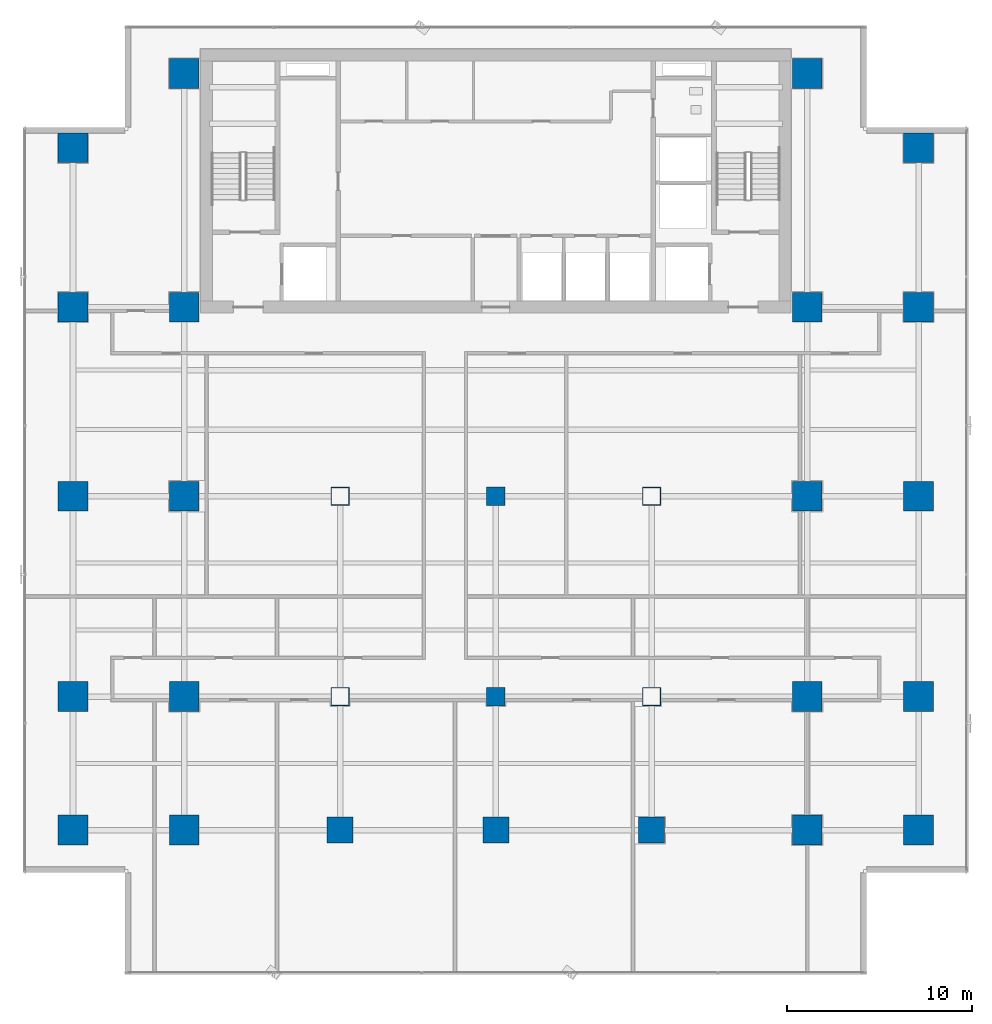
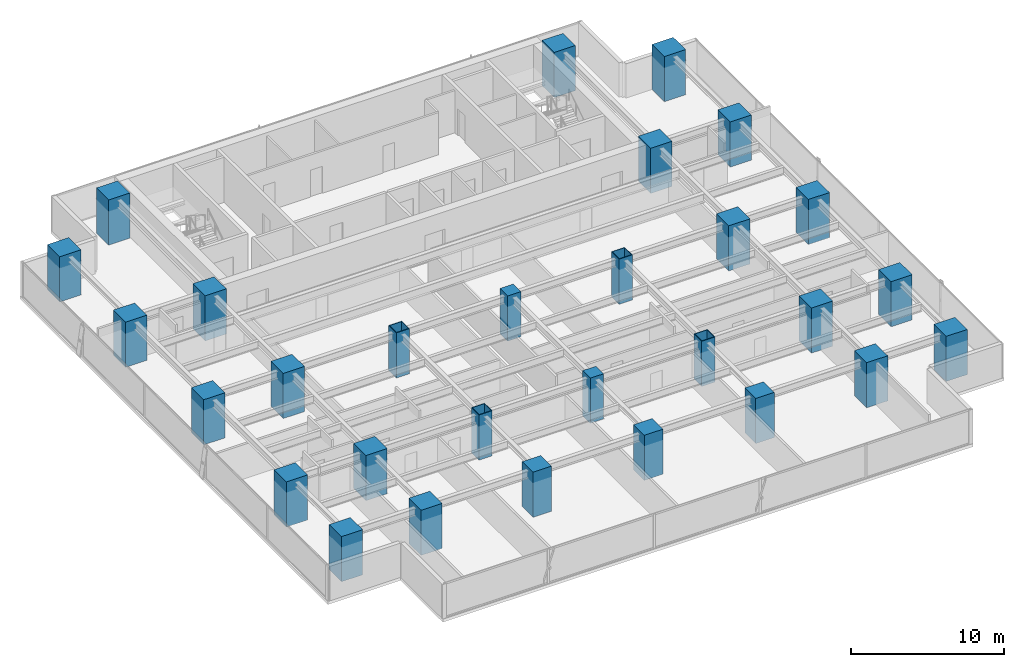
# One storey, part 1 of 34: 29 columns.
"""IFC4 building model written with IfcOpenShell, lengths in metres."""

from ifc_helpers import new_model, si_unit, direction, frame, origin, origin_2d, place, context, subcontext, project, spatial, rectangle, hollow_rectangle, extrude, source, transform, mapped, material, material_profile, profile_set, type_object, element, save


model = new_model("IFC4")

# Units and contexts
model_context = context("Model", 3, precision=1e-05, world=origin(), true_north=direction((0.0, 1.0)))
body_context = subcontext(model_context, "Body", "Model", "MODEL_VIEW")
ifc_project = project(units=[si_unit("LENGTHUNIT", "METRE"), si_unit("AREAUNIT", "SQUARE_METRE"), si_unit("VOLUMEUNIT", "CUBIC_METRE"), si_unit("PLANEANGLEUNIT", "RADIAN"), si_unit("MASSUNIT", "GRAM", prefix="KILO")], contexts=[model_context])

# Site, building, storey
site_placement = place(None, origin())
site = spatial("IfcSite", under=ifc_project, at=site_placement, CompositionType="ELEMENT")
building_placement = place(site_placement, origin())
building = spatial("IfcBuilding", under=site, at=building_placement, Name="Sumidabori Civic Tower", CompositionType="ELEMENT")
storey_placement = place(building_placement, frame((0.0, 0.0, 106.39990234375)))
storey = spatial("IfcBuildingStorey", under=building, at=storey_placement, Name="L27", CompositionType="ELEMENT", Elevation=106.39990234375)

# Columns
ifc_material_1 = material(Name="Concrete C60/75", Category="concrete")
ifc_material_profile_1 = material_profile(ifc_material_1, rectangle(XDim=1.60009765625, YDim=1.60009765625, at=origin_2d()), Name="RC 1600x1600")
ifc_profile_set_1 = profile_set([ifc_material_profile_1], Name="Concrete C60/75")
column_type_1 = type_object("IfcColumnType", Name="CL-MEGA-1600", PredefinedType="COLUMN", material=ifc_profile_set_1)
shared_shape_1 = source(origin(), body_context, "Body", "SweptSolid", [
    extrude(rectangle(XDim=1.60009765625, YDim=1.60009765625, at=origin_2d()), origin(), (0.0, 0.0, 1.0), 3.60009765625),
])
for number, where, z_axis, x_axis, name in (
    (1, (-16.800048828125, -18.0, 0.0), (0.0, 0.0, 1.0), (1.0, 0.0, 0.0), "Column MC-W16-Y18S L27"),
    (2, (-16.800048828125, -10.800048828125, 0.0), (0.0, 0.0, 1.0), (1.0, 0.0, 0.0), "Column MC-W16-Y11S L27"),
    (3, (-16.800048828125, 0.0, 0.0), (0.0, 0.0, 1.0), (1.0, 0.0, 0.0), "Column MC-W16-Y00 L27"),
    (4, (-16.800048828125, 10.199951171875, 0.0), (0.0, 0.0, 1.0), (1.0, 0.0, 0.0), "Column MC-W16-Y10N L27"),
    (5, (-16.800048828125, 22.800048828125, 0.0), (0.0, 0.0, 1.0), (1.0, 0.0, 0.0), "Column MC-W16-Y23N L27"),
    (6, (16.800048828125, -18.0, 0.0), (0.0, 0.0, 1.0), (1.0, 0.0, 0.0), "Column MC-E16-Y18S L27"),
    (7, (16.800048828125, -10.800048828125, 0.0), (0.0, 0.0, 1.0), (1.0, 0.0, 0.0), "Column MC-E16-Y11S L27"),
    (8, (16.800048828125, 0.0, 0.0), (0.0, 0.0, 1.0), (1.0, 0.0, 0.0), "Column MC-E16-Y00 L27"),
    (9, (16.800048828125, 10.199951171875, 0.0), (0.0, 0.0, 1.0), (1.0, 0.0, 0.0), "Column MC-E16-Y10N L27"),
    (10, (16.800048828125, 22.800048828125, 0.0), (0.0, 0.0, 1.0), (1.0, 0.0, 0.0), "Column MC-E16-Y23N L27"),
    (11, (-22.800048828125, -18.0, 0.0), (0.0, 0.0, 1.0), (1.0, 0.0, 0.0), "Column MC-W23-Y18S L27"),
    (12, (-22.800048828125, -10.800048828125, 0.0), (0.0, 0.0, 1.0), (1.0, 0.0, 0.0), "Column MC-W23-Y11S L27"),
    (13, (-22.800048828125, 0.0, 0.0), (0.0, 0.0, 1.0), (1.0, 0.0, 0.0), "Column MC-W23-Y00 L27"),
    (14, (-22.800048828125, 10.199951171875, 0.0), (0.0, 0.0, 1.0), (1.0, 0.0, 0.0), "Column MC-W23-Y10N L27"),
    (15, (-22.800048828125, 18.800048828125, 0.0), (0.0, 0.0, 1.0), (1.0, 0.0, 0.0), "Column MC-W23-Y19N L27"),
    (16, (22.800048828125, -18.0, 0.0), (0.0, 0.0, 1.0), (1.0, 0.0, 0.0), "Column MC-E23-Y18S L27"),
    (17, (22.800048828125, -10.800048828125, 0.0), (0.0, 0.0, 1.0), (1.0, 0.0, 0.0), "Column MC-E23-Y11S L27"),
    (18, (22.800048828125, 0.0, 0.0), (0.0, 0.0, 1.0), (1.0, 0.0, 0.0), "Column MC-E23-Y00 L27"),
    (19, (22.800048828125, 10.199951171875, 0.0), (0.0, 0.0, 1.0), (1.0, 0.0, 0.0), "Column MC-E23-Y10N L27"),
    (20, (22.800048828125, 18.800048828125, 0.0), (0.0, 0.0, 1.0), (1.0, 0.0, 0.0), "Column MC-E23-Y19N L27"),
):
    element("IfcColumn", number, at=place(storey_placement, frame(where, z_axis=z_axis, x_axis=x_axis)), inside=storey, type_object=column_type_1, Name=name, PredefinedType="COLUMN", context=body_context, shape_type="MappedRepresentation", body=[
        mapped(shared_shape_1, transform((0.0, 0.0, 0.0), x_axis=(1.0, 0.0, 0.0), y_axis=(0.0, 1.0, 0.0), z_axis=(0.0, 0.0, 1.0), scale=1.0)),
    ])
ifc_material_2 = material(Name="Steel SM570", Category="steel")
ifc_material_profile_2 = material_profile(ifc_material_2, hollow_rectangle(XDim=1.0, YDim=1.0, WallThickness=0.044921875, at=origin_2d()), Name="SHS 1000x1000x45")
ifc_profile_set_2 = profile_set([ifc_material_profile_2], Name="Steel SM570")
column_type_2 = type_object("IfcColumnType", Name="CL-PORTAL-SHS1000", PredefinedType="COLUMN", material=ifc_profile_set_2)
shared_shape_2 = source(origin(), body_context, "Body", "SweptSolid", [
    extrude(hollow_rectangle(XDim=1.0, YDim=1.0, WallThickness=0.044921875, at=origin_2d()), origin(), (0.0, 0.0, 1.0), 3.60009765625),
])
for number, where, z_axis, x_axis, name in (
    (21, (-8.39990234375, 0.0, 0.0), (0.0, 0.0, 1.0), (1.0, 0.0, 0.0), "Column MC-W08-Y00 L27"),
    (22, (-8.39990234375, -10.800048828125, 0.0), (0.0, 0.0, 1.0), (1.0, 0.0, 0.0), "Column MC-W08-Y11S L27"),
    (23, (8.39990234375, 0.0, 0.0), (0.0, 0.0, 1.0), (1.0, 0.0, 0.0), "Column MC-E08-Y00 L27"),
    (24, (8.39990234375, -10.800048828125, 0.0), (0.0, 0.0, 1.0), (1.0, 0.0, 0.0), "Column MC-E08-Y11S L27"),
):
    element("IfcColumn", number, at=place(storey_placement, frame(where, z_axis=z_axis, x_axis=x_axis)), inside=storey, type_object=column_type_2, Name=name, PredefinedType="COLUMN", context=body_context, shape_type="MappedRepresentation", body=[
        mapped(shared_shape_2, transform((0.0, 0.0, 0.0), x_axis=(1.0, 0.0, 0.0), y_axis=(0.0, 1.0, 0.0), z_axis=(0.0, 0.0, 1.0), scale=1.0)),
    ])
ifc_material_profile_3 = material_profile(ifc_material_1, rectangle(XDim=1.39990234375, YDim=1.39990234375, at=origin_2d()), Name="RC 1400x1400")
ifc_profile_set_3 = profile_set([ifc_material_profile_3], Name="Concrete C60/75")
column_type_3 = type_object("IfcColumnType", Name="CL-MEGA-1400", PredefinedType="COLUMN", material=ifc_profile_set_3)
shared_shape_3 = source(origin(), body_context, "Body", "SweptSolid", [
    extrude(rectangle(XDim=1.39990234375, YDim=1.39990234375, at=origin_2d()), origin(), (0.0, 0.0, 1.0), 3.60009765625),
])
for number, where, z_axis, x_axis, name in (
    (25, (-8.39990234375, -18.0, 0.0), (0.0, 0.0, 1.0), (1.0, 0.0, 0.0), "Column MC-W08-Y18S L27"),
    (26, (8.39990234375, -18.0, 0.0), (0.0, 0.0, 1.0), (1.0, 0.0, 0.0), "Column MC-E08-Y18S L27"),
    (27, (0.0, -18.0, 0.0), (0.0, 0.0, 1.0), (1.0, 0.0, 0.0), "Column MC-C00-Y18S L27"),
):
    element("IfcColumn", number, at=place(storey_placement, frame(where, z_axis=z_axis, x_axis=x_axis)), inside=storey, type_object=column_type_3, Name=name, PredefinedType="COLUMN", context=body_context, shape_type="MappedRepresentation", body=[
        mapped(shared_shape_3, transform((0.0, 0.0, 0.0), x_axis=(1.0, 0.0, 0.0), y_axis=(0.0, 1.0, 0.0), z_axis=(0.0, 0.0, 1.0), scale=1.0)),
    ])
ifc_material_3 = material(Name="Concrete C50/60", Category="concrete")
ifc_material_profile_4 = material_profile(ifc_material_3, rectangle(XDim=1.0, YDim=1.0, at=origin_2d()), Name="RC 1000x1000")
ifc_profile_set_4 = profile_set([ifc_material_profile_4], Name="Concrete C50/60")
column_type_4 = type_object("IfcColumnType", Name="CL-INT-1000", PredefinedType="COLUMN", material=ifc_profile_set_4)
shared_shape_4 = source(origin(), body_context, "Body", "SweptSolid", [
    extrude(rectangle(XDim=1.0, YDim=1.0, at=origin_2d()), origin(), (0.0, 0.0, 1.0), 3.60009765625),
])
for number, where, z_axis, x_axis, name in (
    (28, (0.0, -10.800048828125, 0.0), (0.0, 0.0, 1.0), (1.0, 0.0, 0.0), "Column MC-C00-Y11S L27"),
    (29, (0.0, 0.0, 0.0), (0.0, 0.0, 1.0), (1.0, 0.0, 0.0), "Column MC-C00-Y00 L27"),
):
    element("IfcColumn", number, at=place(storey_placement, frame(where, z_axis=z_axis, x_axis=x_axis)), inside=storey, type_object=column_type_4, Name=name, PredefinedType="COLUMN", context=body_context, shape_type="MappedRepresentation", body=[
        mapped(shared_shape_4, transform((0.0, 0.0, 0.0), x_axis=(1.0, 0.0, 0.0), y_axis=(0.0, 1.0, 0.0), z_axis=(0.0, 0.0, 1.0), scale=1.0)),
    ])

save(model, "model.ifc")
